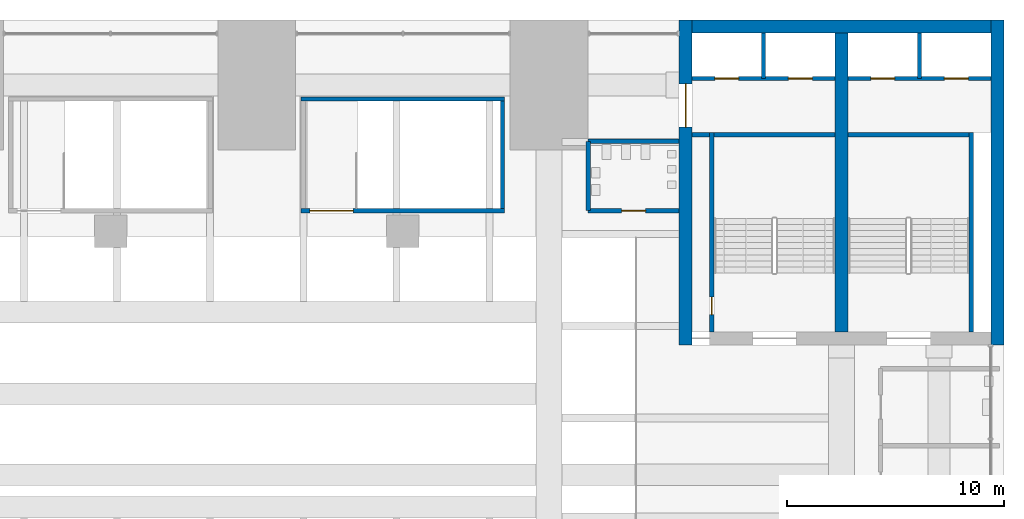
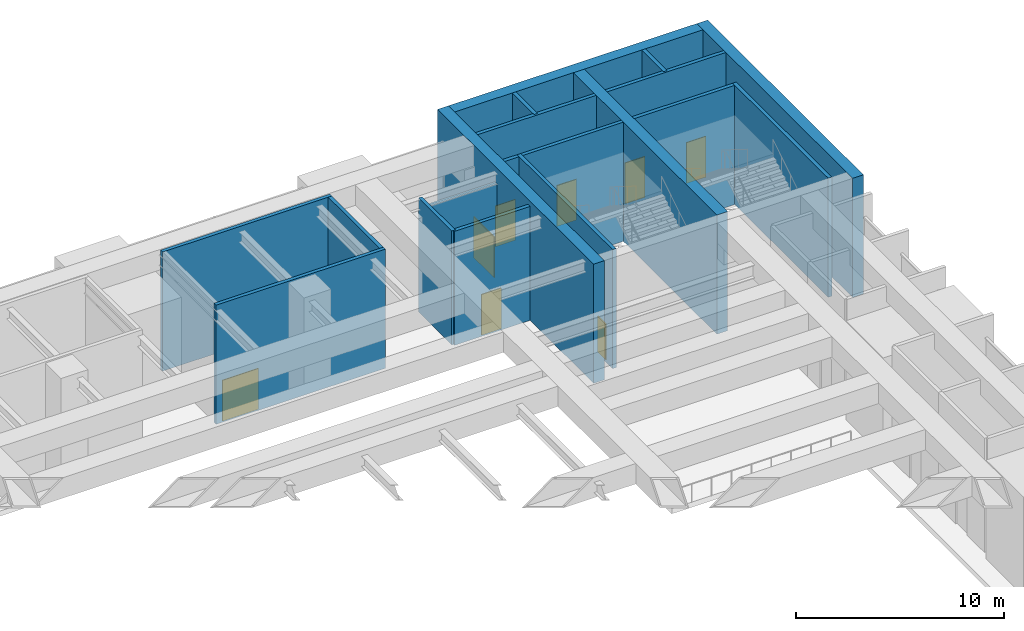
# One storey, part 31 of 45: 19 walls, 8 doors, 8 openings.
"""IFC4 building model written with IfcOpenShell, lengths in metres."""

from ifc_helpers import new_model, si_unit, direction, frame, frame_2d, origin, place, context, subcontext, project, spatial, rectangle, extrude, material, layer, layer_set, type_object, element, fill, save


model = new_model("IFC4")

# Units and contexts
model_context = context("Model", 3, precision=1e-05, world=origin(), true_north=direction((0.0, 1.0)))
body_context = subcontext(model_context, "Body", "Model", "MODEL_VIEW")
ifc_project = project(units=[si_unit("LENGTHUNIT", "METRE"), si_unit("AREAUNIT", "SQUARE_METRE"), si_unit("VOLUMEUNIT", "CUBIC_METRE"), si_unit("PLANEANGLEUNIT", "RADIAN"), si_unit("MASSUNIT", "GRAM", prefix="KILO")], contexts=[model_context])

# Site, building, storey
site_placement = place(None, origin())
site = spatial("IfcSite", under=ifc_project, at=site_placement, CompositionType="ELEMENT")
building_placement = place(site_placement, origin())
building = spatial("IfcBuilding", under=site, at=building_placement, Name="Corbelhall Arena Tower", CompositionType="ELEMENT")
storey_placement = place(building_placement, frame((0.0, 0.0, 37.0)))
storey = spatial("IfcBuildingStorey", under=building, at=storey_placement, Name="L05", CompositionType="ELEMENT", Elevation=37.0)

# Wall, opening, door
ifc_material_1 = material(Name="Gypsum board on steel studs", Category="steel")
ifc_layer_1 = layer(ifc_material_1, 0.199951171875)
ifc_layer_set_1 = layer_set([ifc_layer_1], Name="AR-ROOM-WALL")
wall_type_1 = type_object("IfcWallType", Name="AR-ROOM-WALL", PredefinedType="PARTITIONING", material=ifc_layer_set_1)
wall_1_placement = place(storey_placement, frame((28.800048828125, 30.199951171875, 0.0), z_axis=(0.0, 0.0, 1.0), x_axis=(1.0, 0.0, 0.0)))
wall_1 = element("IfcWall", 1, at=wall_1_placement, inside=storey, type_object=wall_type_1, Name="Men's WC 1 wall", PredefinedType="PARTITIONING", context=body_context, shape_type="SweptSolid", body=[
    extrude(rectangle(XDim=4.199951171875, YDim=0.199951171875, at=frame_2d((2.10009765625, 0.0))), origin(), (0.0, 0.0, 1.0), 6.699951171875),
])
opening_1_placement = place(wall_1_placement, frame((1.550048828125, 0.0, 0.0)))
opening_1 = element("IfcOpeningElement", 2, at=opening_1_placement, cuts=wall_1, Name="Opening DA0455", PredefinedType="OPENING", context=body_context, shape_type="SweptSolid", body=[
    extrude(rectangle(XDim=1.10009765625, YDim=2.39990234375, at=frame_2d((0.550048828125, 1.199951171875))), frame((0.0, 0.10009765625, 0.0), z_axis=(0.0, -1.0, 0.0), x_axis=(1.0, 0.0, 0.0)), (0.0, 0.0, 1.0), 0.199951171875),
])
ifc_material_2 = material(Name="Timber", Category="wood")
door_type_1 = type_object("IfcDoorType", Name="AR-ROOM-DOOR", OperationType="DOUBLE_DOOR_SINGLE_SWING", PredefinedType="DOOR", material=ifc_material_2)
door_1_placement = place(opening_1_placement, origin())
door_1 = element("IfcDoor", 3, at=door_1_placement, inside=storey, type_object=door_type_1, Name="Men's WC 1 door", OperationType="DOUBLE_DOOR_SINGLE_SWING", OverallHeight=2.39990234375, OverallWidth=1.10009765625, PredefinedType="DOOR", context=body_context, shape_type="SweptSolid", body=[
    extrude(rectangle(XDim=1.10009765625, YDim=2.39990234375, at=frame_2d((0.550048828125, 1.199951171875))), frame((0.0, 0.02490234375, 0.0), z_axis=(0.0, -1.0, 0.0), x_axis=(1.0, 0.0, 0.0)), (0.0, 0.0, 1.0), 0.050048828125),
])
fill(opening_1, door_1)

# Walls
wall_2_placement = place(storey_placement, frame((28.800048828125, 30.199951171875, 0.0), z_axis=(0.0, 0.0, 1.0), x_axis=(0.0, 1.0, 0.0)))
element("IfcWall", 4, at=wall_2_placement, inside=storey, type_object=wall_type_1, Name="Men's WC 1 side wall", PredefinedType="PARTITIONING", context=body_context, shape_type="SweptSolid", body=[
    extrude(rectangle(XDim=3.199951171875, YDim=0.199951171875, at=frame_2d((1.60009765625, 0.0))), origin(), (0.0, 0.0, 1.0), 6.699951171875),
])
wall_3_placement = place(storey_placement, frame((33.60009765625, 33.699951171875, 0.0), z_axis=(0.0, 0.0, 1.0), x_axis=(1.0, 0.0, 0.0)))
element("IfcWall", 5, at=wall_3_placement, inside=storey, type_object=wall_type_1, Name="Electrical plant room 01 wall", PredefinedType="PARTITIONING", context=body_context, shape_type="SweptSolid", body=[
    extrude(rectangle(XDim=0.809814453125, YDim=0.199951171875, at=frame_2d((0.40478515625, 0.0))), origin(), (0.0, 0.0, 1.0), 7.0),
])
ifc_layer_2 = layer(ifc_material_1, 0.199951171875)
ifc_layer_set_2 = layer_set([ifc_layer_2], Name="AR-ROOM-WALL under beam 611 mm")
wall_type_2 = type_object("IfcWallType", Name="AR-ROOM-WALL under beam 611 mm", PredefinedType="PARTITIONING", material=ifc_layer_set_2)
wall_4_placement = place(storey_placement, frame((28.800048828125, 33.39990234375, 0.0), z_axis=(0.0, 0.0, 1.0), x_axis=(1.0, 0.0, 0.0)))
element("IfcWall", 6, at=wall_4_placement, inside=storey, type_object=wall_type_2, Name="Men's WC 1 far wall", PredefinedType="PARTITIONING", context=body_context, shape_type="SweptSolid", body=[
    extrude(rectangle(XDim=4.199951171875, YDim=0.199951171875, at=frame_2d((2.10009765625, 0.0))), origin(), (0.0, 0.0, 1.0), 6.089111328125),
])

# Wall, openings, doors
ifc_material_3 = material(Name="Reinforced concrete C40/50", Category="concrete")
ifc_layer_3 = layer(ifc_material_3, 0.199951171875)
ifc_layer_set_3 = layer_set([ifc_layer_3], Name="AR-SHAFT-WALL")
wall_type_3 = type_object("IfcWallType", Name="AR-SHAFT-WALL", PredefinedType="SHEAR", material=ifc_layer_set_3)
wall_5_placement = place(storey_placement, frame((33.60009765625, 36.300048828125, 0.0), z_axis=(0.0, 0.0, 1.0), x_axis=(1.0, 0.0, 0.0)))
wall_5 = element("IfcWall", 7, at=wall_5_placement, inside=storey, type_object=wall_type_3, Name="Lift lobby wall NE", PredefinedType="SHEAR", context=body_context, shape_type="SweptSolid", body=[
    extrude(rectangle(XDim=6.599853515625, YDim=0.199951171875, at=frame_2d((3.2998046875, 0.0))), origin(), (0.0, 0.0, 1.0), 7.0),
])
opening_2_placement = place(wall_5_placement, frame((1.050048828125, 0.0, 0.0)))
opening_2 = element("IfcOpeningElement", 8, at=opening_2_placement, cuts=wall_5, Name="Opening LD0142", PredefinedType="OPENING", context=body_context, shape_type="SweptSolid", body=[
    extrude(rectangle(XDim=1.10009765625, YDim=2.39990234375, at=frame_2d((0.550048828125, 1.199951171875))), frame((0.0, 0.10009765625, 0.0), z_axis=(0.0, -1.0, 0.0), x_axis=(1.0, 0.0, 0.0)), (0.0, 0.0, 1.0), 0.199951171875),
])
opening_3_placement = place(wall_5_placement, frame((4.449951171875, 0.0, 0.0)))
opening_3 = element("IfcOpeningElement", 9, at=opening_3_placement, cuts=wall_5, Name="Opening LD0143", PredefinedType="OPENING", context=body_context, shape_type="SweptSolid", body=[
    extrude(rectangle(XDim=1.10009765625, YDim=2.39990234375, at=frame_2d((0.550048828125, 1.199951171875))), frame((0.0, 0.10009765625, 0.0), z_axis=(0.0, -1.0, 0.0), x_axis=(1.0, 0.0, 0.0)), (0.0, 0.0, 1.0), 0.199951171875),
])
ifc_material_4 = material(Name="Stainless steel A4", Category="steel")
door_type_2 = type_object("IfcDoorType", Name="AR-LANDING-DOOR", OperationType="DOUBLE_DOOR_SLIDING", PredefinedType="DOOR", material=ifc_material_4)
door_2_placement = place(opening_2_placement, origin())
door_2 = element("IfcDoor", 10, at=door_2_placement, inside=storey, type_object=door_type_2, Name="Landing door NE LF1 L05", OperationType="DOUBLE_DOOR_SLIDING", OverallHeight=2.39990234375, OverallWidth=1.10009765625, PredefinedType="DOOR", context=body_context, shape_type="SweptSolid", body=[
    extrude(rectangle(XDim=1.10009765625, YDim=2.39990234375, at=frame_2d((0.550048828125, 1.199951171875))), frame((0.0, 0.02490234375, 0.0), z_axis=(0.0, -1.0, 0.0), x_axis=(1.0, 0.0, 0.0)), (0.0, 0.0, 1.0), 0.050048828125),
])
fill(opening_2, door_2)
door_3_placement = place(opening_3_placement, origin())
door_3 = element("IfcDoor", 11, at=door_3_placement, inside=storey, type_object=door_type_2, Name="Landing door NE LF2 L05", OperationType="DOUBLE_DOOR_SLIDING", OverallHeight=2.39990234375, OverallWidth=1.10009765625, PredefinedType="DOOR", context=body_context, shape_type="SweptSolid", body=[
    extrude(rectangle(XDim=1.10009765625, YDim=2.39990234375, at=frame_2d((0.550048828125, 1.199951171875))), frame((0.0, 0.02490234375, 0.0), z_axis=(0.0, -1.0, 0.0), x_axis=(1.0, 0.0, 0.0)), (0.0, 0.0, 1.0), 0.050048828125),
])
fill(opening_3, door_3)

wall_6_placement = place(storey_placement, frame((40.800048828125, 36.300048828125, 0.0), z_axis=(0.0, 0.0, 1.0), x_axis=(1.0, 0.0, 0.0)))
wall_6 = element("IfcWall", 12, at=wall_6_placement, inside=storey, type_object=wall_type_3, Name="Lift lobby wall NE", PredefinedType="SHEAR", context=body_context, shape_type="SweptSolid", body=[
    extrude(rectangle(XDim=6.599853515625, YDim=0.199951171875, at=frame_2d((3.2998046875, 0.0))), origin(), (0.0, 0.0, 1.0), 7.0),
])
opening_4_placement = place(wall_6_placement, frame((1.050048828125, 0.0, 0.0)))
opening_4 = element("IfcOpeningElement", 13, at=opening_4_placement, cuts=wall_6, Name="Opening LD0144", PredefinedType="OPENING", context=body_context, shape_type="SweptSolid", body=[
    extrude(rectangle(XDim=1.10009765625, YDim=2.39990234375, at=frame_2d((0.550048828125, 1.199951171875))), frame((0.0, 0.10009765625, 0.0), z_axis=(0.0, -1.0, 0.0), x_axis=(1.0, 0.0, 0.0)), (0.0, 0.0, 1.0), 0.199951171875),
])
opening_5_placement = place(wall_6_placement, frame((4.449951171875, 0.0, 0.0)))
opening_5 = element("IfcOpeningElement", 14, at=opening_5_placement, cuts=wall_6, Name="Opening LD0145", PredefinedType="OPENING", context=body_context, shape_type="SweptSolid", body=[
    extrude(rectangle(XDim=1.10009765625, YDim=2.39990234375, at=frame_2d((0.550048828125, 1.199951171875))), frame((0.0, 0.10009765625, 0.0), z_axis=(0.0, -1.0, 0.0), x_axis=(1.0, 0.0, 0.0)), (0.0, 0.0, 1.0), 0.199951171875),
])
door_4_placement = place(opening_4_placement, origin())
door_4 = element("IfcDoor", 15, at=door_4_placement, inside=storey, type_object=door_type_2, Name="Landing door NE LF3 L05", OperationType="DOUBLE_DOOR_SLIDING", OverallHeight=2.39990234375, OverallWidth=1.10009765625, PredefinedType="DOOR", context=body_context, shape_type="SweptSolid", body=[
    extrude(rectangle(XDim=1.10009765625, YDim=2.39990234375, at=frame_2d((0.550048828125, 1.199951171875))), frame((0.0, 0.02490234375, 0.0), z_axis=(0.0, -1.0, 0.0), x_axis=(1.0, 0.0, 0.0)), (0.0, 0.0, 1.0), 0.050048828125),
])
fill(opening_4, door_4)
door_5_placement = place(opening_5_placement, origin())
door_5 = element("IfcDoor", 16, at=door_5_placement, inside=storey, type_object=door_type_2, Name="Landing door NE LF4 L05", OperationType="DOUBLE_DOOR_SLIDING", OverallHeight=2.39990234375, OverallWidth=1.10009765625, PredefinedType="DOOR", context=body_context, shape_type="SweptSolid", body=[
    extrude(rectangle(XDim=1.10009765625, YDim=2.39990234375, at=frame_2d((0.550048828125, 1.199951171875))), frame((0.0, 0.02490234375, 0.0), z_axis=(0.0, -1.0, 0.0), x_axis=(1.0, 0.0, 0.0)), (0.0, 0.0, 1.0), 0.050048828125),
])
fill(opening_5, door_5)

# Walls
for number, where, z_axis, x_axis, name in (
    (17, (36.89990234375, 36.300048828125, 0.0), (0.0, 0.0, 1.0), (0.0, 1.0, 0.0), "Shaft wall NE"),
    (18, (44.10009765625, 36.300048828125, 0.0), (0.0, 0.0, 1.0), (0.0, 1.0, 0.0), "Shaft wall NE"),
):
    element("IfcWall", number, at=place(storey_placement, frame(where, z_axis=z_axis, x_axis=x_axis)), inside=storey, type_object=wall_type_3, Name=name, PredefinedType="SHEAR", context=body_context, shape_type="SweptSolid", body=[
        extrude(rectangle(XDim=2.099853515625, YDim=0.199951171875, at=frame_2d((1.0498046875, 0.0))), origin(), (0.0, 0.0, 1.0), 7.0),
    ])

# Wall, opening, door
ifc_layer_4 = layer(ifc_material_3, 0.199951171875)
ifc_layer_set_4 = layer_set([ifc_layer_4], Name="AR-STAIR-WALL")
wall_type_4 = type_object("IfcWallType", Name="AR-STAIR-WALL", PredefinedType="SOLIDWALL", material=ifc_layer_set_4)
wall_7_placement = place(storey_placement, frame((15.550048828125, 30.199951171875, 0.0), z_axis=(0.0, 0.0, 1.0), x_axis=(1.0, 0.0, 0.0)))
wall_7 = element("IfcWall", 19, at=wall_7_placement, inside=storey, type_object=wall_type_4, Name="Stair AS12 wall", PredefinedType="SOLIDWALL", context=body_context, shape_type="SweptSolid", body=[
    extrude(rectangle(XDim=9.39990234375, YDim=0.199951171875, at=frame_2d((4.699951171875, 0.0))), origin(), (0.0, 0.0, 1.0), 7.0),
])
opening_6_placement = place(wall_7_placement, frame((0.39990234375, 0.0, 0.0)))
opening_6 = element("IfcOpeningElement", 20, at=opening_6_placement, cuts=wall_7, Name="Opening DA0024", PredefinedType="OPENING", context=body_context, shape_type="SweptSolid", body=[
    extrude(rectangle(XDim=2.0, YDim=2.39990234375, at=frame_2d((1.0, 1.199951171875))), frame((0.0, 0.10009765625, 0.0), z_axis=(0.0, -1.0, 0.0), x_axis=(1.0, 0.0, 0.0)), (0.0, 0.0, 1.0), 0.199951171875),
])
ifc_material_5 = material(Name="Steel and glass", Category="steel")
door_type_3 = type_object("IfcDoorType", Name="AR-STAIR-DOOR", OperationType="DOUBLE_DOOR_SINGLE_SWING", PredefinedType="DOOR", material=ifc_material_5)
door_6_placement = place(opening_6_placement, origin())
door_6 = element("IfcDoor", 21, at=door_6_placement, inside=storey, type_object=door_type_3, Name="Stair AS12 door", OperationType="DOUBLE_DOOR_SINGLE_SWING", OverallHeight=2.39990234375, OverallWidth=2.0, PredefinedType="DOOR", context=body_context, shape_type="SweptSolid", body=[
    extrude(rectangle(XDim=2.0, YDim=2.39990234375, at=frame_2d((1.0, 1.199951171875))), frame((0.0, 0.02490234375, 0.0), z_axis=(0.0, -1.0, 0.0), x_axis=(1.0, 0.0, 0.0)), (0.0, 0.0, 1.0), 0.050048828125),
])
fill(opening_6, door_6)

# Walls
wall_8_placement = place(storey_placement, frame((15.550048828125, 35.35009765625, 0.0), z_axis=(0.0, 0.0, 1.0), x_axis=(1.0, 0.0, 0.0)))
element("IfcWall", 22, at=wall_8_placement, inside=storey, type_object=wall_type_4, Name="Stair AS12 wall", PredefinedType="SOLIDWALL", context=body_context, shape_type="SweptSolid", body=[
    extrude(rectangle(XDim=9.39990234375, YDim=0.199951171875, at=frame_2d((4.699951171875, 0.0))), origin(), (0.0, 0.0, 1.0), 7.0),
])
wall_9_placement = place(storey_placement, frame((24.85009765625, 30.300048828125, 0.0), z_axis=(0.0, 0.0, 1.0), x_axis=(0.0, 1.0, 0.0)))
element("IfcWall", 23, at=wall_9_placement, inside=storey, type_object=wall_type_4, Name="Stair AS12 wall", PredefinedType="SOLIDWALL", context=body_context, shape_type="SweptSolid", body=[
    extrude(rectangle(XDim=4.949951171875, YDim=0.199951171875, at=frame_2d((2.47509765625, 0.0))), origin(), (0.0, 0.0, 1.0), 7.0),
])

# Wall, opening, door
wall_10_placement = place(storey_placement, frame((34.510009765625, 24.60009765625, 0.0), z_axis=(0.0, 0.0, 1.0), x_axis=(0.0, 1.0, 0.0)))
wall_10 = element("IfcWall", 24, at=wall_10_placement, inside=storey, type_object=wall_type_4, Name="Stair AS1 wall", PredefinedType="SOLIDWALL", context=body_context, shape_type="SweptSolid", body=[
    extrude(rectangle(XDim=9.199951171875, YDim=0.199951171875, at=frame_2d((4.60009765625, 0.0))), origin(), (0.0, 0.0, 1.0), 7.0),
])
opening_7_placement = place(wall_10_placement, frame((0.800048828125, 0.0, 0.0)))
opening_7 = element("IfcOpeningElement", 25, at=opening_7_placement, cuts=wall_10, Name="Opening DA0476", PredefinedType="OPENING", context=body_context, shape_type="SweptSolid", body=[
    extrude(rectangle(XDim=0.800048828125, YDim=2.10009765625, at=frame_2d((0.39990234375, 1.050048828125))), frame((0.0, 0.10009765625, 0.0), z_axis=(0.0, -1.0, 0.0), x_axis=(1.0, 0.0, 0.0)), (0.0, 0.0, 1.0), 0.199951171875),
])
ifc_material_6 = material(Name="Steel", Category="steel")
door_type_4 = type_object("IfcDoorType", Name="AR-PLANT-DOOR", OperationType="SINGLE_SWING_LEFT", PredefinedType="DOOR", material=ifc_material_6)
door_7_placement = place(opening_7_placement, origin())
door_7 = element("IfcDoor", 26, at=door_7_placement, inside=storey, type_object=door_type_4, Name="Electrical plant room 01 stair door", OperationType="SINGLE_SWING_LEFT", OverallHeight=2.10009765625, OverallWidth=0.800048828125, PredefinedType="DOOR", context=body_context, shape_type="SweptSolid", body=[
    extrude(rectangle(XDim=0.800048828125, YDim=2.10009765625, at=frame_2d((0.39990234375, 1.050048828125))), frame((0.0, 0.02490234375, 0.0), z_axis=(0.0, -1.0, 0.0), x_axis=(1.0, 0.0, 0.0)), (0.0, 0.0, 1.0), 0.050048828125),
])
fill(opening_7, door_7)

# Walls
wall_11_placement = place(storey_placement, frame((34.610107421875, 33.699951171875, 0.0), z_axis=(0.0, 0.0, 1.0), x_axis=(1.0, 0.0, 0.0)))
element("IfcWall", 27, at=wall_11_placement, inside=storey, type_object=wall_type_4, Name="Stair AS1 wall", PredefinedType="SOLIDWALL", context=body_context, shape_type="SweptSolid", body=[
    extrude(rectangle(XDim=5.58984375, YDim=0.199951171875, at=frame_2d((2.794921875, 0.0))), origin(), (0.0, 0.0, 1.0), 7.0),
])
wall_12_placement = place(storey_placement, frame((46.489990234375, 24.60009765625, 0.0), z_axis=(0.0, 0.0, 1.0), x_axis=(0.0, 1.0, 0.0)))
element("IfcWall", 28, at=wall_12_placement, inside=storey, type_object=wall_type_4, Name="Stair AS2 wall", PredefinedType="SOLIDWALL", context=body_context, shape_type="SweptSolid", body=[
    extrude(rectangle(XDim=9.199951171875, YDim=0.199951171875, at=frame_2d((4.60009765625, 0.0))), origin(), (0.0, 0.0, 1.0), 7.0),
])
wall_13_placement = place(storey_placement, frame((40.800048828125, 33.699951171875, 0.0), z_axis=(0.0, 0.0, 1.0), x_axis=(1.0, 0.0, 0.0)))
element("IfcWall", 29, at=wall_13_placement, inside=storey, type_object=wall_type_4, Name="Stair AS2 wall", PredefinedType="SOLIDWALL", context=body_context, shape_type="SweptSolid", body=[
    extrude(rectangle(XDim=5.58984375, YDim=0.199951171875, at=frame_2d((2.794921875, 0.0))), origin(), (0.0, 0.0, 1.0), 7.0),
])
ifc_material_7 = material(Name="Concrete C80/95", Category="concrete")
ifc_layer_5 = layer(ifc_material_7, 0.60009765625)
ifc_layer_set_5 = layer_set([ifc_layer_5], Name="PO-CORE-WALL")
wall_type_5 = type_object("IfcWallType", Name="PO-CORE-WALL", PredefinedType="SHEAR", material=ifc_layer_set_5)
wall_14_placement = place(storey_placement, frame((33.60009765625, 38.699951171875, 0.0), z_axis=(0.0, 0.0, 1.0), x_axis=(1.0, 0.0, 0.0)))
element("IfcWall", 30, at=wall_14_placement, inside=storey, type_object=wall_type_5, Name="CORE NE WALL N L05", PredefinedType="SHEAR", context=body_context, shape_type="SweptSolid", body=[
    extrude(rectangle(XDim=13.7998046875, YDim=0.60009765625, at=frame_2d((6.89990234375, 0.0))), origin(), (0.0, 0.0, 1.0), 7.0),
])

# Wall, opening, door
wall_15_placement = place(storey_placement, frame((33.300048828125, 24.0, 0.0), z_axis=(0.0, 0.0, 1.0), x_axis=(0.0, 1.0, 0.0)))
wall_15 = element("IfcWall", 31, at=wall_15_placement, inside=storey, type_object=wall_type_5, Name="CORE NE WALL W L05", PredefinedType="SHEAR", context=body_context, shape_type="SweptSolid", body=[
    extrude(rectangle(XDim=15.0, YDim=0.60009765625, at=frame_2d((7.5, 0.0))), origin(), (0.0, 0.0, 1.0), 7.0),
])
opening_8_placement = place(wall_15_placement, frame((10.050048828125, 0.0, 0.0)))
opening_8 = element("IfcOpeningElement", 32, at=opening_8_placement, cuts=wall_15, Name="Opening DA0146", PredefinedType="OPENING", context=body_context, shape_type="SweptSolid", body=[
    extrude(rectangle(XDim=2.0, YDim=2.39990234375, at=frame_2d((1.0, 1.199951171875))), frame((0.0, 0.300048828125, 0.0), z_axis=(0.0, -1.0, 0.0), x_axis=(1.0, 0.0, 0.0)), (0.0, 0.0, 1.0), 0.60009765625),
])
door_type_5 = type_object("IfcDoorType", Name="AR-CORE-DOOR", OperationType="DOUBLE_DOOR_SINGLE_SWING", PredefinedType="DOOR", material=ifc_material_5)
door_8_placement = place(opening_8_placement, origin())
door_8 = element("IfcDoor", 33, at=door_8_placement, inside=storey, type_object=door_type_5, Name="Core lobby door NE L05", OperationType="DOUBLE_DOOR_SINGLE_SWING", OverallHeight=2.39990234375, OverallWidth=2.0, PredefinedType="DOOR", context=body_context, shape_type="SweptSolid", body=[
    extrude(rectangle(XDim=2.0, YDim=2.39990234375, at=frame_2d((1.0, 1.199951171875))), frame((0.0, 0.02490234375, 0.0), z_axis=(0.0, -1.0, 0.0), x_axis=(1.0, 0.0, 0.0)), (0.0, 0.0, 1.0), 0.050048828125),
])
fill(opening_8, door_8)

# Walls
wall_16_placement = place(storey_placement, frame((47.699951171875, 24.0, 0.0), z_axis=(0.0, 0.0, 1.0), x_axis=(0.0, 1.0, 0.0)))
element("IfcWall", 34, at=wall_16_placement, inside=storey, type_object=wall_type_5, Name="CORE NE WALL E L05", PredefinedType="SHEAR", context=body_context, shape_type="SweptSolid", body=[
    extrude(rectangle(XDim=15.0, YDim=0.60009765625, at=frame_2d((7.5, 0.0))), origin(), (0.0, 0.0, 1.0), 7.0),
])
wall_17_placement = place(storey_placement, frame((40.5, 24.60009765625, 0.0), z_axis=(0.0, 0.0, 1.0), x_axis=(0.0, 1.0, 0.0)))
element("IfcWall", 35, at=wall_17_placement, inside=storey, type_object=wall_type_5, Name="CORE NE WALL D L05", PredefinedType="SHEAR", context=body_context, shape_type="SweptSolid", body=[
    extrude(rectangle(XDim=13.7998046875, YDim=0.60009765625, at=frame_2d((6.89990234375, 0.0))), origin(), (0.0, 0.0, 1.0), 7.0),
])

save(model, "model.ifc")
